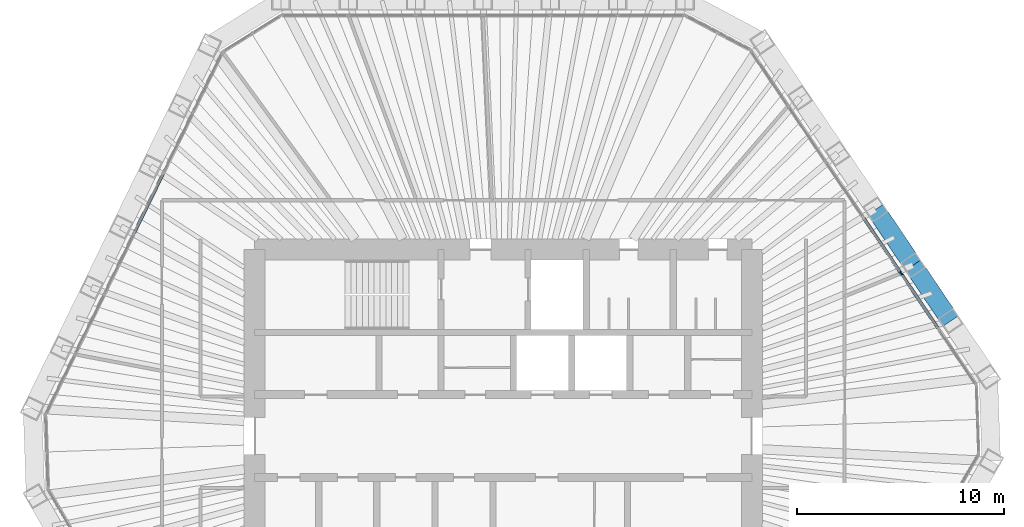
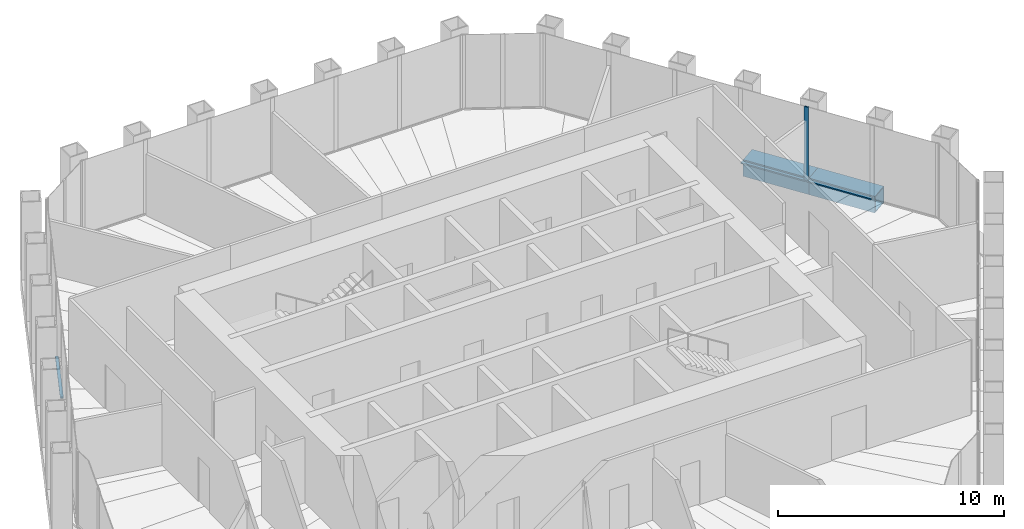
# One storey, part 6 of 14: 4 members, 2 beams, 2 elements without a shape of their own.
"""IFC4 building model written with IfcOpenShell, lengths in metres."""

from ifc_helpers import new_model, si_unit, direction, frame, origin, origin_2d, place, context, subcontext, project, spatial, rectangle, hollow_rectangle, extrude, material, material_profile, profile_set, type_object, element, aggregate, save


model = new_model("IFC4")

# Units and contexts
model_context = context("Model", 3, precision=1e-05, world=origin(), true_north=direction((0.0, 1.0)))
body_context = subcontext(model_context, "Body", "Model", "MODEL_VIEW")
ifc_project = project(units=[si_unit("LENGTHUNIT", "METRE"), si_unit("AREAUNIT", "SQUARE_METRE"), si_unit("VOLUMEUNIT", "CUBIC_METRE"), si_unit("PLANEANGLEUNIT", "RADIAN"), si_unit("MASSUNIT", "GRAM", prefix="KILO")], contexts=[model_context])

# Site, building, storey
site_placement = place(None, origin())
site = spatial("IfcSite", under=ifc_project, at=site_placement, CompositionType="ELEMENT")
building_placement = place(site_placement, origin())
building = spatial("IfcBuilding", under=site, at=building_placement, Name="Qingtian Harvest Tower", CompositionType="ELEMENT")
storey_placement = place(building_placement, frame((0.0, 0.0, 270.39990234375)))
storey = spatial("IfcBuildingStorey", under=building, at=storey_placement, Name="L59", CompositionType="ELEMENT", Elevation=270.39990234375)

# Curtain wall, member
ifc_material_1 = material(Name="Bronze-anodised aluminium curtain wall", Category="aluminium")
curtain_wall_type = type_object("IfcCurtainWallType", Name="Curtain wall CW5 upper office", PredefinedType="USERDEFINED", material=ifc_material_1)
curtain_wall_1_placement = place(storey_placement, origin())
curtain_wall_1 = element("IfcCurtainWall", 1, at=curtain_wall_1_placement, inside=storey, type_object=curtain_wall_type, Name="Curtain wall CW5 L59 NE0-5", ObjectType="RECESSED CURTAIN WALL", PredefinedType="USERDEFINED")
ifc_material_2 = material(Name="Bronze-anodised aluminium mullion", Category="aluminium")
ifc_material_profile_1 = material_profile(ifc_material_2, rectangle(XDim=0.06494140625, YDim=0.199951171875, at=origin_2d()), Name="AL 65x200")
ifc_profile_set_1 = profile_set([ifc_material_profile_1], Name="Bronze-anodised aluminium mullion")
member_type_1 = type_object("IfcMemberType", Name="Mullion CWM 65x200", PredefinedType="MULLION", material=ifc_profile_set_1)
member_1_placement = place(storey_placement, frame((19.192626953125, 7.847900390625, 0.0), z_axis=(0.0, 0.0, 1.0), x_axis=(0.829037572555, 0.559192903471, 0.0)))
member_1 = element("IfcMember", 2, at=member_1_placement, type_object=member_type_1, Name="CW5 mullion 5", PredefinedType="MULLION", context=body_context, shape_type="SweptSolid", body=[
    extrude(rectangle(XDim=0.06494140625, YDim=0.199951171875, at=origin_2d()), origin(), (0.0, 0.0, 1.0), 4.030029296875),
])

# Beams
ifc_material_3 = material(Name="Steel SM570MC", Category="steel")
ifc_material_profile_2 = material_profile(ifc_material_3, hollow_rectangle(XDim=0.89990234375, YDim=0.89990234375, WallThickness=0.050048828125, at=origin_2d()), Name="BOX900x900x50")
ifc_profile_set_2 = profile_set([ifc_material_profile_2], Name="Steel SM570MC")
beam_type = type_object("IfcBeamType", Name="Transition spandrel SB6 BOX900x900x50", PredefinedType="SPANDREL", material=ifc_profile_set_2)
for number, where, z_axis, x_axis, name in (
    (3, (17.956787109375, 10.93212890625, -0.449951171875), (0.55915007887, -0.829066456504, 0.0), (0.829066456504, 0.55915007887, 0.0), "Spandrel SB6 NE3"),
    (4, (19.77294921875, 8.2392578125, -0.449951171875), (0.5592365864, -0.829008106372, 0.0), (0.829008106372, 0.5592365864, 0.0), "Spandrel SB6 NE4"),
):
    element("IfcBeam", number, at=place(storey_placement, frame(where, z_axis=z_axis, x_axis=x_axis)), inside=storey, type_object=beam_type, Name=name, PredefinedType="SPANDREL", context=body_context, shape_type="SweptSolid", body=[
        extrude(hollow_rectangle(XDim=0.89990234375, YDim=0.89990234375, WallThickness=0.050048828125, at=origin_2d()), origin(), (0.0, 0.0, 1.0), 3.248046875),
    ])

# Member
ifc_material_4 = material(Name="Bronze-anodised aluminium transom", Category="aluminium")
ifc_material_profile_3 = material_profile(ifc_material_4, rectangle(XDim=0.14990234375, YDim=0.06494140625, at=origin_2d()), Name="AL 65x150")
ifc_profile_set_3 = profile_set([ifc_material_profile_3], Name="Bronze-anodised aluminium transom")
member_type_2 = type_object("IfcMemberType", Name="Transom CWT 65x150", PredefinedType="USERDEFINED", material=ifc_profile_set_3)
member_2_placement = place(storey_placement, frame((17.39453125, 10.513671875, 0.03271484375), z_axis=(0.55920542009, -0.829029129852, 0.0), x_axis=(0.829029129852, 0.55920542009, 0.0)))
member_2 = element("IfcMember", 5, at=member_2_placement, type_object=member_type_2, Name="CW5 transom 4.1", ObjectType="TRANSOM", PredefinedType="USERDEFINED", context=body_context, shape_type="SweptSolid", body=[
    extrude(rectangle(XDim=0.14990234375, YDim=0.06494140625, at=origin_2d()), origin(), (0.0, 0.0, 1.0), 3.18310546875),
])

member_3_placement = place(storey_placement, frame((19.2109375, 7.821044921875, 0.03271484375), z_axis=(0.559152702955, -0.829064686727, 0.0), x_axis=(0.829064686727, 0.559152702955, 0.0)))
member_3 = element("IfcMember", 6, at=member_3_placement, type_object=member_type_2, Name="CW5 transom 5.1", ObjectType="TRANSOM", PredefinedType="USERDEFINED", context=body_context, shape_type="SweptSolid", body=[
    extrude(rectangle(XDim=0.14990234375, YDim=0.06494140625, at=origin_2d()), origin(), (0.0, 0.0, 1.0), 3.18310546875),
])

aggregate(curtain_wall_1, [member_1, member_2, member_3])

# Curtain wall, member
curtain_wall_2_placement = place(storey_placement, origin())
curtain_wall_2 = element("IfcCurtainWall", 7, at=curtain_wall_2_placement, inside=storey, type_object=curtain_wall_type, Name="Curtain wall CW5 L59 NW0-5", ObjectType="RECESSED CURTAIN WALL", PredefinedType="USERDEFINED")
member_4_placement = place(storey_placement, frame((-17.802490234375, 9.807373046875, 0.03271484375), z_axis=(0.438355626738, 0.898801615768, 0.0), x_axis=(-0.898801615768, 0.438355626738, 0.0)))
member_4 = element("IfcMember", 8, at=member_4_placement, type_object=member_type_2, Name="CW5 transom 4.1", ObjectType="TRANSOM", PredefinedType="USERDEFINED", context=body_context, shape_type="SweptSolid", body=[
    extrude(rectangle(XDim=0.14990234375, YDim=0.06494140625, at=origin_2d()), origin(), (0.0, 0.0, 1.0), 3.182861328125),
])
aggregate(curtain_wall_2, [member_4])

save(model, "model.ifc")
